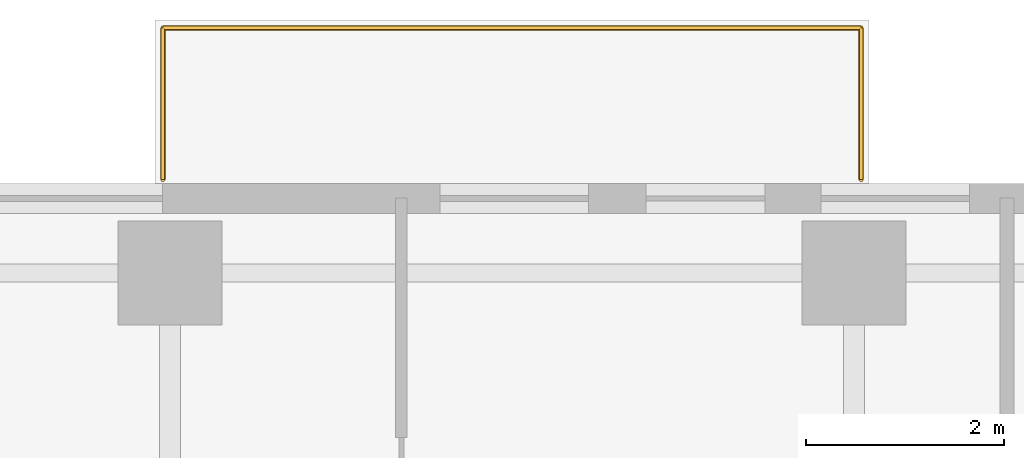
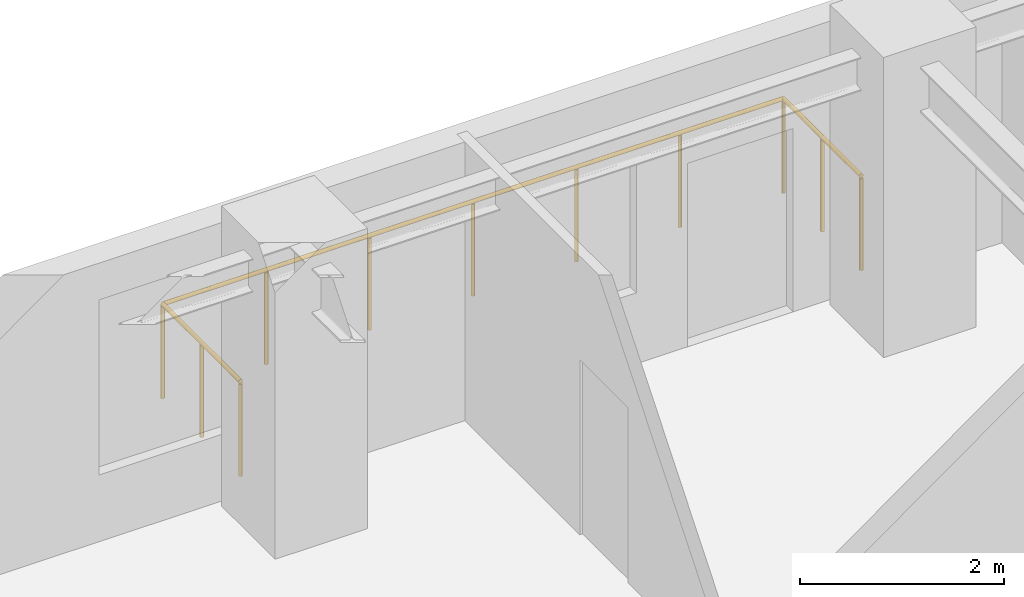
# One storey, part 14 of 14: 1 railing.
"""IFC4 building model written with IfcOpenShell, lengths in metres."""

from ifc_helpers import new_model, si_unit, direction, frame, origin, origin_2d, place, context, subcontext, project, spatial, circle, extrude, material, type_object, element, save


model = new_model("IFC4")

# Units and contexts
model_context = context("Model", 3, precision=1e-05, world=origin(), true_north=direction((0.0, 1.0)))
body_context = subcontext(model_context, "Body", "Model", "MODEL_VIEW")
ifc_project = project(units=[si_unit("LENGTHUNIT", "METRE"), si_unit("AREAUNIT", "SQUARE_METRE"), si_unit("VOLUMEUNIT", "CUBIC_METRE"), si_unit("PLANEANGLEUNIT", "RADIAN"), si_unit("MASSUNIT", "GRAM", prefix="KILO")], contexts=[model_context])

# Site, building, storey
site_placement = place(None, origin())
site = spatial("IfcSite", under=ifc_project, at=site_placement, CompositionType="ELEMENT")
building_placement = place(site_placement, origin())
building = spatial("IfcBuilding", under=site, at=building_placement, Name="Khoralis Quay Care Tower", CompositionType="ELEMENT")
storey_placement = place(building_placement, frame((0.0, 0.0, 108.89990234375)))
storey = spatial("IfcBuildingStorey", under=building, at=storey_placement, Name="L28", CompositionType="ELEMENT", Elevation=108.89990234375)

# Railing
ifc_material = material(Name="Pale anodised aluminium", Category="aluminium")
railing_type = type_object("IfcRailingType", Name="RL-BALUST-1150", PredefinedType="BALUSTRADE", material=ifc_material)
railing_placement = place(storey_placement, frame((17.030029296875, 45.0400390625, -0.039794921875)))
element("IfcRailing", 1, at=railing_placement, inside=storey, type_object=railing_type, Name="L28 Senior Loggia Balcony Guard", PredefinedType="BALUSTRADE", context=body_context, shape_type="SweptSolid", body=[
    extrude(circle(Radius=0.02392578125, at=origin_2d()), frame((0.0, 0.0, 1.1259765625), z_axis=(0.0, 1.0, 0.0), x_axis=(-1.0, 0.0, 0.0)), (0.0, 0.0, 1.0), 1.530029296875),
    extrude(circle(Radius=0.02392578125, at=origin_2d()), frame((0.0, 1.530029296875, 1.1259765625), z_axis=(1.0, 0.0, 0.0), x_axis=(0.0, 1.0, 0.0)), (0.0, 0.0, 1.0), 7.0400390625),
    extrude(circle(Radius=0.02392578125, at=origin_2d()), frame((7.0400390625, 1.530029296875, 1.1259765625), z_axis=(0.0, -1.0, 0.0), x_axis=(1.0, 0.0, 0.0)), (0.0, 0.0, 1.0), 1.530029296875),
    extrude(circle(Radius=0.02099609375, at=origin_2d()), origin(), (0.0, 0.0, 1.0), 1.101806640625),
    extrude(circle(Radius=0.02099609375, at=origin_2d()), frame((0.0, 0.76513671875, 0.0)), (0.0, 0.0, 1.0), 1.101806640625),
    extrude(circle(Radius=0.02099609375, at=origin_2d()), frame((0.0, 1.530029296875, 0.0)), (0.0, 0.0, 1.0), 1.101806640625),
    extrude(circle(Radius=0.02099609375, at=origin_2d()), frame((1.17333984375, 1.530029296875, 0.0)), (0.0, 0.0, 1.0), 1.101806640625),
    extrude(circle(Radius=0.02099609375, at=origin_2d()), frame((2.3466796875, 1.530029296875, 0.0)), (0.0, 0.0, 1.0), 1.101806640625),
    extrude(circle(Radius=0.02099609375, at=origin_2d()), frame((3.52001953125, 1.530029296875, 0.0)), (0.0, 0.0, 1.0), 1.101806640625),
    extrude(circle(Radius=0.02099609375, at=origin_2d()), frame((4.693359375, 1.530029296875, 0.0)), (0.0, 0.0, 1.0), 1.101806640625),
    extrude(circle(Radius=0.02099609375, at=origin_2d()), frame((5.86669921875, 1.530029296875, 0.0)), (0.0, 0.0, 1.0), 1.101806640625),
    extrude(circle(Radius=0.02099609375, at=origin_2d()), frame((7.0400390625, 1.530029296875, 0.0)), (0.0, 0.0, 1.0), 1.101806640625),
    extrude(circle(Radius=0.02099609375, at=origin_2d()), frame((7.0400390625, 0.76513671875, 0.0)), (0.0, 0.0, 1.0), 1.101806640625),
    extrude(circle(Radius=0.02099609375, at=origin_2d()), frame((7.0400390625, 0.0, 0.0)), (0.0, 0.0, 1.0), 1.101806640625),
])

save(model, "model.ifc")
